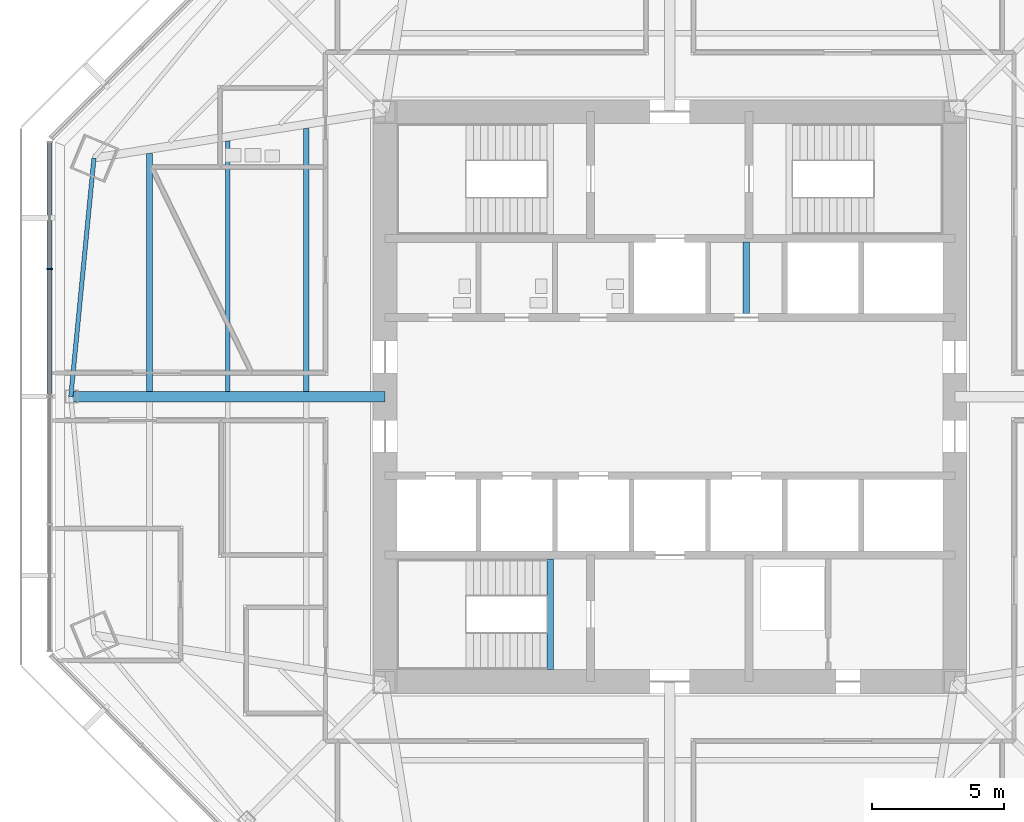
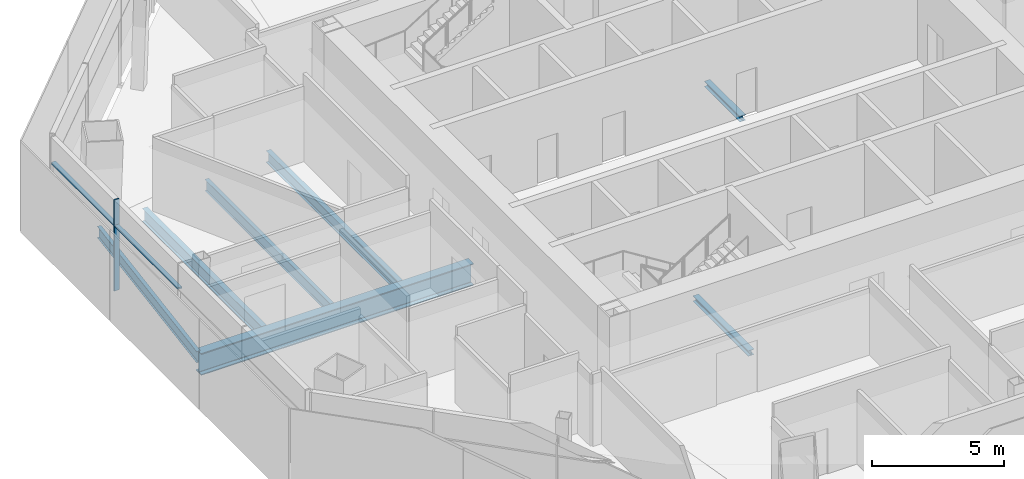
# One storey, part 3 of 15: 7 beams, 3 members, 1 element without a shape of its own.
"""IFC4 building model written with IfcOpenShell, lengths in metres."""

from ifc_helpers import new_model, si_unit, direction, frame, origin, origin_2d, place, context, subcontext, project, spatial, rectangle, i_section, extrude, source, transform, mapped, material, material_profile, profile_set, type_object, type_shapes, element, aggregate, save


model = new_model("IFC4")

# Units and contexts
model_context = context("Model", 3, precision=1e-05, world=origin(), true_north=direction((0.0, 1.0)))
body_context = subcontext(model_context, "Body", "Model", "MODEL_VIEW")
ifc_project = project(units=[si_unit("LENGTHUNIT", "METRE"), si_unit("AREAUNIT", "SQUARE_METRE"), si_unit("VOLUMEUNIT", "CUBIC_METRE"), si_unit("PLANEANGLEUNIT", "RADIAN"), si_unit("MASSUNIT", "GRAM", prefix="KILO")], contexts=[model_context])

# Site, building, storey
site_placement = place(None, origin())
site = spatial("IfcSite", under=ifc_project, at=site_placement, CompositionType="ELEMENT")
building_placement = place(site_placement, origin())
building = spatial("IfcBuilding", under=site, at=building_placement, Name="Mashrafa Tower", CompositionType="ELEMENT")
storey_placement = place(building_placement, frame((0.0, 0.0, 159.60009765625)))
storey = spatial("IfcBuildingStorey", under=building, at=storey_placement, Name="L36", CompositionType="ELEMENT", Elevation=159.60009765625)

# Beams
ifc_material_1 = material(Name="Steel ASTM A992", Category="steel")
ifc_material_profile_1 = material_profile(ifc_material_1, i_section(OverallWidth=0.1650390625, OverallDepth=0.52587890625, WebThickness=0.0087890625, FlangeThickness=0.011474609375, FilletRadius=0.0126953125, at=origin_2d()), Name="W21X44")
ifc_profile_set_1 = profile_set([ifc_material_profile_1], Name="Steel ASTM A992")
beam_type_1 = type_object("IfcBeamType", Name="Beam W21X44", PredefinedType="BEAM", material=ifc_profile_set_1)
beam_1_placement = place(storey_placement, frame((-21.826416015625, 9.040771484375, -0.427978515625), z_axis=(-0.096679808275, -0.995315535231, 0.0), x_axis=(0.995315535231, -0.096679808275, 0.0)))
element("IfcBeam", 1, at=beam_1_placement, inside=storey, type_object=beam_type_1, Name="Spandrel beam L36 059", PredefinedType="BEAM", context=body_context, shape_type="SweptSolid", body=[
    extrude(i_section(OverallWidth=0.1650390625, OverallDepth=0.52587890625, WebThickness=0.0087890625, FlangeThickness=0.011474609375, FilletRadius=0.0126953125, at=origin_2d()), origin(), (0.0, 0.0, 1.0), 9.083251953125),
])
ifc_material_2 = material(Name="Steel ASTM A992", Category="steel")
ifc_material_profile_2 = material_profile(ifc_material_2, i_section(OverallWidth=0.165771484375, OverallDepth=0.5283203125, WebThickness=0.009765625, FlangeThickness=0.013671875, FilletRadius=0.012939453125, at=origin_2d()), Name="W21X50")
ifc_profile_set_2 = profile_set([ifc_material_profile_2], Name="Steel ASTM A992")
beam_type_2 = type_object("IfcBeamType", Name="Beam W21X50", PredefinedType="BEAM", material=ifc_profile_set_2)
beam_2_placement = place(storey_placement, frame((-16.752197265625, 0.20068359375, -0.42919921875), z_axis=(0.0, 1.0, 0.0), x_axis=(-1.0, 0.0, 0.0)))
element("IfcBeam", 2, at=beam_2_placement, inside=storey, type_object=beam_type_2, Name="Floor beam L36 005", PredefinedType="BEAM", context=body_context, shape_type="SweptSolid", body=[
    extrude(i_section(OverallWidth=0.165771484375, OverallDepth=0.5283203125, WebThickness=0.009765625, FlangeThickness=0.013671875, FilletRadius=0.012939453125, at=origin_2d()), origin(), (0.0, 0.0, 1.0), 9.493896484375),
])
ifc_material_3 = material(Name="Steel ASTM A992", Category="steel")
ifc_material_profile_3 = material_profile(ifc_material_3, i_section(OverallWidth=0.209228515625, OverallDepth=0.533447265625, WebThickness=0.01025390625, FlangeThickness=0.015625, FilletRadius=0.012939453125, at=origin_2d()), Name="W21X62")
ifc_profile_set_3 = profile_set([ifc_material_profile_3], Name="Steel ASTM A992")
beam_type_3 = type_object("IfcBeamType", Name="Beam W21X62", PredefinedType="BEAM", material=ifc_profile_set_3)
beam_3_placement = place(storey_placement, frame((-13.776123046875, 0.20068359375, -0.431884765625), z_axis=(0.0, 1.0, 0.0), x_axis=(-1.0, 0.0, 0.0)))
element("IfcBeam", 3, at=beam_3_placement, inside=storey, type_object=beam_type_3, Name="Floor beam L36 010", PredefinedType="BEAM", context=body_context, shape_type="SweptSolid", body=[
    extrude(i_section(OverallWidth=0.209228515625, OverallDepth=0.533447265625, WebThickness=0.01025390625, FlangeThickness=0.015625, FilletRadius=0.012939453125, at=origin_2d()), origin(), (0.0, 0.0, 1.0), 9.968994140625),
])
ifc_material_4 = material(Name="Steel ASTM A992", Category="steel")
ifc_material_profile_4 = material_profile(ifc_material_4, i_section(OverallWidth=0.227783203125, OverallDepth=0.60205078125, WebThickness=0.010498046875, FlangeThickness=0.014892578125, FilletRadius=0.012939453125, at=origin_2d()), Name="W24X68")
ifc_profile_set_4 = profile_set([ifc_material_profile_4], Name="Steel ASTM A992")
beam_type_4 = type_object("IfcBeamType", Name="Beam W24X68", PredefinedType="BEAM", material=ifc_profile_set_4)
beam_4_placement = place(storey_placement, frame((-19.728515625, 0.20068359375, -0.466064453125), z_axis=(0.0, 1.0, 0.0), x_axis=(-1.0, 0.0, 0.0)))
element("IfcBeam", 4, at=beam_4_placement, inside=storey, type_object=beam_type_4, Name="Floor beam L36 002", PredefinedType="BEAM", context=body_context, shape_type="SweptSolid", body=[
    extrude(i_section(OverallWidth=0.227783203125, OverallDepth=0.60205078125, WebThickness=0.010498046875, FlangeThickness=0.014892578125, FilletRadius=0.012939453125, at=origin_2d()), origin(), (0.0, 0.0, 1.0), 9.019287109375),
])
ifc_material_5 = material(Name="Steel ASTM A992", Category="steel")
ifc_material_profile_5 = material_profile(ifc_material_5, i_section(OverallWidth=0.4013671875, OverallDepth=1.010986328125, WebThickness=0.023681640625, FlangeThickness=0.0419921875, FilletRadius=0.02001953125, at=origin_2d()), Name="W40X297")
ifc_profile_set_5 = profile_set([ifc_material_profile_5], Name="Steel ASTM A992")
beam_type_5 = type_object("IfcBeamType", Name="Beam W40X297", PredefinedType="BEAM", material=ifc_profile_set_5)
beam_5_placement = place(storey_placement, frame((-10.800048828125, 0.0, -0.670654296875), z_axis=(-1.0, 0.0, 0.0), x_axis=(0.0, -1.0, 0.0)))
element("IfcBeam", 5, at=beam_5_placement, inside=storey, type_object=beam_type_5, Name="Radial girder L36 044", PredefinedType="BEAM", context=body_context, shape_type="SweptSolid", body=[
    extrude(i_section(OverallWidth=0.4013671875, OverallDepth=1.010986328125, WebThickness=0.023681640625, FlangeThickness=0.0419921875, FilletRadius=0.02001953125, at=origin_2d()), origin(), (0.0, 0.0, 1.0), 11.904541015625),
])
ifc_material_6 = material(Name="Steel ASTM A992", Category="steel")
ifc_material_profile_6 = material_profile(ifc_material_6, i_section(OverallWidth=0.25390625, OverallDepth=0.25390625, WebThickness=0.008544921875, FlangeThickness=0.01416015625, FilletRadius=0.010009765625, at=origin_2d()), Name="W10X49")
ifc_profile_set_6 = profile_set([ifc_material_profile_6], Name="Steel ASTM A992")
beam_type_6 = type_object("IfcBeamType", Name="Hoistway beam W10X49", PredefinedType="BEAM", material=ifc_profile_set_6)
beam_6_placement = place(storey_placement, frame((2.89990234375, 3.14990234375, -0.2919921875), z_axis=(0.0, 1.0, 0.0), x_axis=(-1.0, 0.0, 0.0)))
element("IfcBeam", 6, at=beam_6_placement, inside=storey, type_object=beam_type_6, Name="Hoistway beam L36 06", PredefinedType="BEAM", context=body_context, shape_type="SweptSolid", body=[
    extrude(i_section(OverallWidth=0.25390625, OverallDepth=0.25390625, WebThickness=0.008544921875, FlangeThickness=0.01416015625, FilletRadius=0.010009765625, at=origin_2d()), origin(), (0.0, 0.0, 1.0), 2.7001953125),
])
beam_7_placement = place(storey_placement, frame((-4.530029296875, -10.35009765625, -0.3271484375), z_axis=(0.0, 1.0, 0.0), x_axis=(-1.0, 0.0, 0.0)))
element("IfcBeam", 7, at=beam_7_placement, inside=storey, type_object=beam_type_6, Name="Stair S3 landing beam L36", PredefinedType="BEAM", context=body_context, shape_type="SweptSolid", body=[
    extrude(i_section(OverallWidth=0.25390625, OverallDepth=0.25390625, WebThickness=0.008544921875, FlangeThickness=0.01416015625, FilletRadius=0.010009765625, at=origin_2d()), origin(), (0.0, 0.0, 1.0), 4.2001953125),
])

# Curtain wall, members
ifc_material_7 = material(Name="Unitised aluminium curtain wall", Category="aluminium")
curtain_wall_type = type_object("IfcCurtainWallType", Name="Office curtain wall, zone 2 CW-B 225 deep", PredefinedType="NOTDEFINED", material=ifc_material_7)
curtain_wall_placement = place(storey_placement, origin())
curtain_wall = element("IfcCurtainWall", 8, at=curtain_wall_placement, inside=storey, type_object=curtain_wall_type, Name="Office curtain wall, zone 2 L36 west", PredefinedType="NOTDEFINED")
ifc_material_8 = material(Name="Extruded aluminium mullion", Category="aluminium")
ifc_material_profile_7 = material_profile(ifc_material_8, rectangle(XDim=0.22509765625, YDim=0.06494140625, at=origin_2d()), Name="Mullion 65x225")
ifc_profile_set_7 = profile_set([ifc_material_profile_7], Name="Extruded aluminium mullion")
member_type_1 = type_object("IfcMemberType", Name="Mullion CW-B 65 x 225", PredefinedType="MULLION", material=ifc_profile_set_7)
shared_shape_1 = source(origin(), body_context, "Body", "SweptSolid", [
    extrude(rectangle(XDim=0.22509765625, YDim=0.06494140625, at=origin_2d()), origin(), (0.0, 0.0, 1.0), 4.199951171875),
])
type_shapes(member_type_1, [shared_shape_1])
member_1_placement = place(storey_placement, frame((-23.499755859375, 4.838623046875, 0.0), z_axis=(0.0, 0.0, 1.0), x_axis=(1.0, 0.0, 0.0)))
member_1 = element("IfcMember", 9, at=member_1_placement, type_object=member_type_1, Name="CW-B mullion 2", PredefinedType="MULLION", context=body_context, shape_type="MappedRepresentation", body=[
    mapped(shared_shape_1, transform((0.0, 0.0, 0.0))),
])
ifc_material_9 = material(Name="Extruded aluminium transom", Category="aluminium")
ifc_material_profile_8 = material_profile(ifc_material_9, rectangle(XDim=0.179931640625, YDim=0.080078125, at=origin_2d()), Name="Transom 80x180")
ifc_profile_set_8 = profile_set([ifc_material_profile_8], Name="Extruded aluminium transom")
member_type_2 = type_object("IfcMemberType", Name="Transom CW-B 80 x 180", PredefinedType="MULLION", material=ifc_profile_set_8)
shared_shape_2 = source(origin(), body_context, "Body", "SweptSolid", [
    extrude(rectangle(XDim=0.179931640625, YDim=0.080078125, at=origin_2d()), origin(), (0.0, 0.0, 1.0), 4.7412109375),
])
member_2_placement = place(storey_placement, frame((-23.499755859375, 9.6123046875, 3.0), z_axis=(0.0, -1.0, 0.0), x_axis=(1.0, 0.0, 0.0)))
member_2 = element("IfcMember", 10, at=member_2_placement, type_object=member_type_2, Name="CW-B transom 1", PredefinedType="MULLION", context=body_context, shape_type="MappedRepresentation", body=[
    mapped(shared_shape_2, transform((0.0, 0.0, 0.0))),
])
shared_shape_3 = source(origin(), body_context, "Body", "SweptSolid", [
    extrude(rectangle(XDim=0.179931640625, YDim=0.080078125, at=origin_2d()), origin(), (0.0, 0.0, 1.0), 4.773681640625),
])
type_shapes(member_type_2, [shared_shape_2, shared_shape_3])
member_3_placement = place(storey_placement, frame((-23.499755859375, 4.80615234375, 3.0), z_axis=(0.0, -1.0, 0.0), x_axis=(1.0, 0.0, 0.0)))
member_3 = element("IfcMember", 11, at=member_3_placement, type_object=member_type_2, Name="CW-B transom 2", PredefinedType="MULLION", context=body_context, shape_type="MappedRepresentation", body=[
    mapped(shared_shape_3, transform((0.0, 0.0, 0.0))),
])
aggregate(curtain_wall, [member_1, member_2, member_3])

save(model, "model.ifc")
